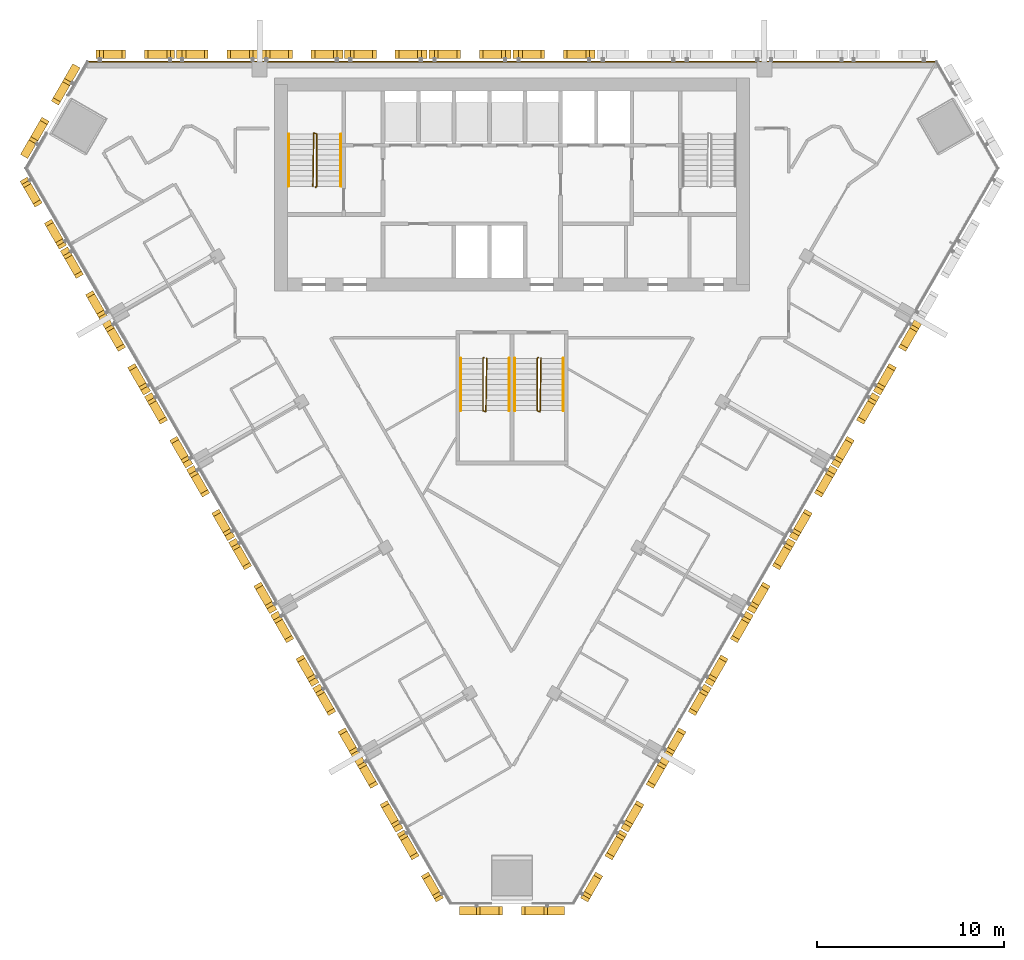
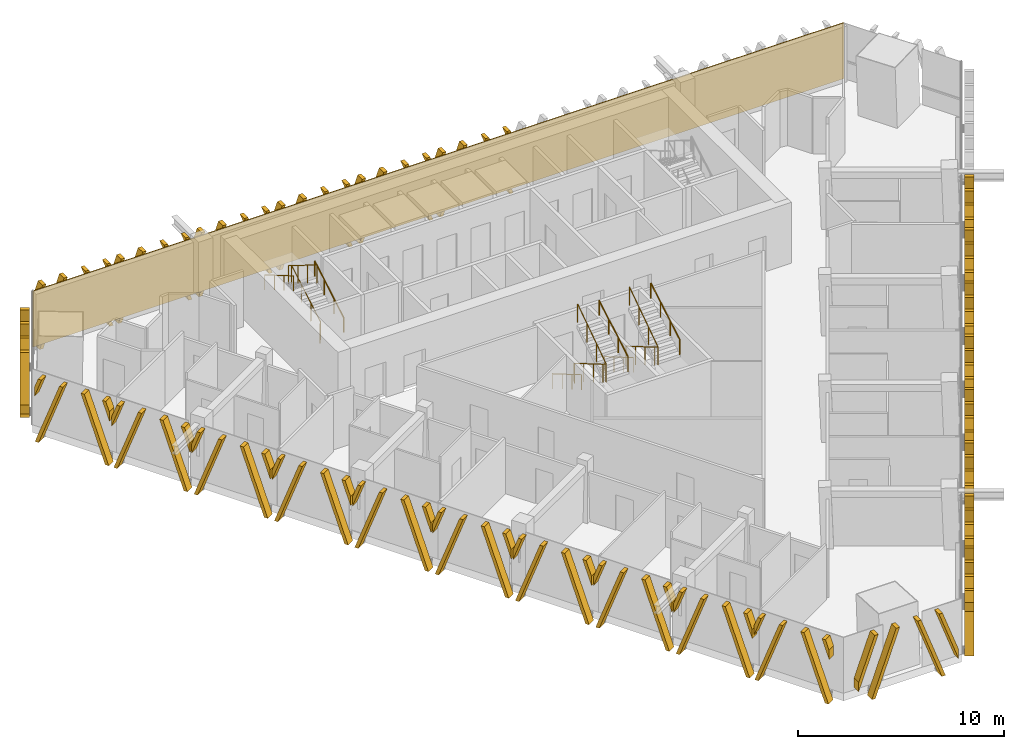
# One storey, part 13 of 15: 26 shading devices, 9 railings, 1 covering.
"""IFC4 building model written with IfcOpenShell, lengths in metres."""

from ifc_helpers import new_model, si_unit, direction, frame, frame_2d, origin, origin_2d, place, context, subcontext, project, spatial, polyline, rectangle, circle, outline, extrude, source, transform, mapped, material, layer, layer_set, type_object, element, save


model = new_model("IFC4")

# Units and contexts
model_context = context("Model", 3, precision=1e-05, world=origin(), true_north=direction((0.0, 1.0)))
body_context = subcontext(model_context, "Body", "Model", "MODEL_VIEW")
ifc_project = project(units=[si_unit("LENGTHUNIT", "METRE"), si_unit("AREAUNIT", "SQUARE_METRE"), si_unit("VOLUMEUNIT", "CUBIC_METRE"), si_unit("PLANEANGLEUNIT", "RADIAN"), si_unit("MASSUNIT", "GRAM", prefix="KILO")], contexts=[model_context])

# Site, building, storey
site_placement = place(None, origin())
site = spatial("IfcSite", under=ifc_project, at=site_placement, CompositionType="ELEMENT")
building_placement = place(site_placement, origin())
building = spatial("IfcBuilding", under=site, at=building_placement, Name="Altiplano Prism Tower", CompositionType="ELEMENT")
storey_placement = place(building_placement, frame((0.0, 0.0, 185.39990234375)))
storey = spatial("IfcBuildingStorey", under=building, at=storey_placement, Name="L48", CompositionType="ELEMENT", Elevation=185.39990234375)

# Railings
ifc_material_1 = material(Name="Steel S355", Category="steel")
railing_type_1 = type_object("IfcRailingType", Name="Stair guard 1100", PredefinedType="GUARDRAIL", material=ifc_material_1)
railing_1_placement = place(storey_placement, frame((74.5, 98.25, 0.0)))
element("IfcRailing", 1, at=railing_1_placement, inside=storey, type_object=railing_type_1, Name="L48 ST1 stair guard 1", PredefinedType="GUARDRAIL", context=body_context, shape_type="SweptSolid", body=[
    extrude(circle(Radius=0.02392578125, at=origin_2d()), frame((0.0, 0.0, 1.076171875), z_axis=(0.280456126637, 0.280456126637, 0.917980785237), x_axis=(-0.707106781187, 0.707106781187, 0.0)), (0.0, 0.0, 1.0), 0.178466796875),
    extrude(circle(Radius=0.02392578125, at=origin_2d()), frame((0.050048828125, 0.050048828125, 1.23974609375), z_axis=(0.0, 0.863393664356, 0.504530851732), x_axis=(-1.0, 0.0, 0.0)), (0.0, 0.0, 1.0), 3.2431640625),
    extrude(circle(Radius=0.02392578125, at=origin_2d()), frame((0.050048828125, 2.85009765625, 2.8759765625), z_axis=(-0.949145278916, 0.314838433982, 0.0), x_axis=(-0.314838433982, -0.949145278916, 0.0)), (0.0, 0.0, 1.0), 0.158203125),
    extrude(circle(Radius=0.02392578125, at=origin_2d()), frame((-0.10009765625, 2.89990234375, 2.8759765625), z_axis=(-0.01477401265, -0.845377694409, 0.533964682676), x_axis=(0.999847325713, -0.01747355902, 0.0)), (0.0, 0.0, 1.0), 3.37109375),
    extrude(circle(Radius=0.02099609375, at=origin_2d()), origin(), (0.0, 0.0, 1.0), 1.052001953125),
    extrude(circle(Radius=0.02099609375, at=origin_2d()), frame((0.050048828125, 0.050048828125, 0.163818359375)), (0.0, 0.0, 1.0), 1.052001953125),
    extrude(circle(Radius=0.02099609375, at=origin_2d()), frame((0.050048828125, 0.9833984375, 0.709228515625)), (0.0, 0.0, 1.0), 1.052001953125),
    extrude(circle(Radius=0.02099609375, at=origin_2d()), frame((0.050048828125, 1.916748046875, 1.254638671875)), (0.0, 0.0, 1.0), 1.052001953125),
    extrude(circle(Radius=0.02099609375, at=origin_2d()), frame((0.050048828125, 2.85009765625, 1.800048828125)), (0.0, 0.0, 1.0), 1.052001953125),
    extrude(circle(Radius=0.02099609375, at=origin_2d()), frame((-0.10009765625, 2.89990234375, 1.800048828125)), (0.0, 0.0, 1.0), 1.052001953125),
    extrude(circle(Radius=0.02099609375, at=origin_2d()), frame((-0.11669921875, 1.949951171875, 2.400146484375)), (0.0, 0.0, 1.0), 1.052001953125),
    extrude(circle(Radius=0.02099609375, at=origin_2d()), frame((-0.13330078125, 1.0, 3.0)), (0.0, 0.0, 1.0), 1.052001953125),
    extrude(circle(Radius=0.02099609375, at=origin_2d()), frame((-0.14990234375, 0.050048828125, 3.60009765625)), (0.0, 0.0, 1.0), 1.052001953125),
])
railing_2_placement = place(storey_placement, frame((83.5, 89.14990234375, 0.0)))
element("IfcRailing", 2, at=railing_2_placement, inside=storey, type_object=railing_type_1, Name="L48 ST3A stair guard 1", PredefinedType="GUARDRAIL", context=body_context, shape_type="SweptSolid", body=[
    extrude(circle(Radius=0.02392578125, at=origin_2d()), frame((0.0, 0.0, 1.076171875), z_axis=(-0.280563532951, -0.279194930351, 0.91833234444), x_axis=(0.705375805398, -0.708833529934, 0.0)), (0.0, 0.0, 1.0), 0.178466796875),
    extrude(circle(Radius=0.02392578125, at=origin_2d()), frame((-0.050048828125, -0.0498046875, 1.23974609375), z_axis=(0.0, -0.863393664356, 0.504530851732), x_axis=(1.0, 0.0, 0.0)), (0.0, 0.0, 1.0), 3.2431640625),
    extrude(circle(Radius=0.02392578125, at=origin_2d()), frame((-0.050048828125, -2.849853515625, 2.8759765625), z_axis=(0.948683298051, -0.316227766017, 0.0), x_axis=(0.316227766017, 0.948683298051, 0.0)), (0.0, 0.0, 1.0), 0.158203125),
    extrude(circle(Radius=0.02392578125, at=origin_2d()), frame((0.10009765625, -2.89990234375, 2.8759765625), z_axis=(0.014773108175, 0.84539835705, 0.533931993021), x_axis=(-0.999847351862, 0.017472062685, 0.0)), (0.0, 0.0, 1.0), 3.371337890625),
    extrude(circle(Radius=0.02099609375, at=origin_2d()), origin(), (0.0, 0.0, 1.0), 1.052001953125),
    extrude(circle(Radius=0.02099609375, at=origin_2d()), frame((-0.050048828125, -0.0498046875, 0.163818359375)), (0.0, 0.0, 1.0), 1.052001953125),
    extrude(circle(Radius=0.02099609375, at=origin_2d()), frame((-0.050048828125, -0.983154296875, 0.709228515625)), (0.0, 0.0, 1.0), 1.052001953125),
    extrude(circle(Radius=0.02099609375, at=origin_2d()), frame((-0.050048828125, -1.91650390625, 1.254638671875)), (0.0, 0.0, 1.0), 1.052001953125),
    extrude(circle(Radius=0.02099609375, at=origin_2d()), frame((-0.050048828125, -2.849853515625, 1.800048828125)), (0.0, 0.0, 1.0), 1.052001953125),
    extrude(circle(Radius=0.02099609375, at=origin_2d()), frame((0.10009765625, -2.89990234375, 1.800048828125)), (0.0, 0.0, 1.0), 1.052001953125),
    extrude(circle(Radius=0.02099609375, at=origin_2d()), frame((0.11669921875, -1.949951171875, 2.400146484375)), (0.0, 0.0, 1.0), 1.052001953125),
    extrude(circle(Radius=0.02099609375, at=origin_2d()), frame((0.13330078125, -0.999755859375, 3.0)), (0.0, 0.0, 1.0), 1.052001953125),
    extrude(circle(Radius=0.02099609375, at=origin_2d()), frame((0.14990234375, -0.0498046875, 3.60009765625)), (0.0, 0.0, 1.0), 1.052001953125),
])
railing_3_placement = place(storey_placement, frame((86.39990234375, 89.14990234375, 0.0)))
element("IfcRailing", 3, at=railing_3_placement, inside=storey, type_object=railing_type_1, Name="L48 ST3B stair guard 1", PredefinedType="GUARDRAIL", context=body_context, shape_type="SweptSolid", body=[
    extrude(circle(Radius=0.02392578125, at=origin_2d()), frame((0.0, 0.0, 1.076171875), z_axis=(-0.279301935624, -0.279301935624, 0.918684307863), x_axis=(0.707106781187, -0.707106781187, 0.0)), (0.0, 0.0, 1.0), 0.17822265625),
    extrude(circle(Radius=0.02392578125, at=origin_2d()), frame((-0.0498046875, -0.0498046875, 1.23974609375), z_axis=(0.0, -0.863393664356, 0.504530851732), x_axis=(1.0, 0.0, 0.0)), (0.0, 0.0, 1.0), 3.2431640625),
    extrude(circle(Radius=0.02392578125, at=origin_2d()), frame((-0.0498046875, -2.849853515625, 2.8759765625), z_axis=(0.948528701346, -0.316691178788, 0.0), x_axis=(0.316691178788, 0.948528701346, 0.0)), (0.0, 0.0, 1.0), 0.157958984375),
    extrude(circle(Radius=0.02392578125, at=origin_2d()), frame((0.10009765625, -2.89990234375, 2.8759765625), z_axis=(0.014845509451, 0.845397450405, 0.533931420407), x_axis=(-0.999845851991, 0.017557683712, 0.0)), (0.0, 0.0, 1.0), 3.371337890625),
    extrude(circle(Radius=0.02099609375, at=origin_2d()), origin(), (0.0, 0.0, 1.0), 1.052001953125),
    extrude(circle(Radius=0.02099609375, at=origin_2d()), frame((-0.0498046875, -0.0498046875, 0.163818359375)), (0.0, 0.0, 1.0), 1.052001953125),
    extrude(circle(Radius=0.02099609375, at=origin_2d()), frame((-0.0498046875, -0.983154296875, 0.709228515625)), (0.0, 0.0, 1.0), 1.052001953125),
    extrude(circle(Radius=0.02099609375, at=origin_2d()), frame((-0.0498046875, -1.91650390625, 1.254638671875)), (0.0, 0.0, 1.0), 1.052001953125),
    extrude(circle(Radius=0.02099609375, at=origin_2d()), frame((-0.0498046875, -2.849853515625, 1.800048828125)), (0.0, 0.0, 1.0), 1.052001953125),
    extrude(circle(Radius=0.02099609375, at=origin_2d()), frame((0.10009765625, -2.89990234375, 1.800048828125)), (0.0, 0.0, 1.0), 1.052001953125),
    extrude(circle(Radius=0.02099609375, at=origin_2d()), frame((0.11669921875, -1.949951171875, 2.400146484375)), (0.0, 0.0, 1.0), 1.052001953125),
    extrude(circle(Radius=0.02099609375, at=origin_2d()), frame((0.133544921875, -0.999755859375, 3.0)), (0.0, 0.0, 1.0), 1.052001953125),
    extrude(circle(Radius=0.02099609375, at=origin_2d()), frame((0.150146484375, -0.0498046875, 3.60009765625)), (0.0, 0.0, 1.0), 1.052001953125),
])
railing_type_2 = type_object("IfcRailingType", Name="Stair handrail 900", PredefinedType="HANDRAIL", material=ifc_material_1)
railing_4_placement = place(storey_placement, frame((75.85009765625, 98.300048828125, 0.163818359375)))
element("IfcRailing", 4, at=railing_4_placement, inside=storey, type_object=railing_type_2, Name="L48 ST1 stair handrail 1", PredefinedType="HANDRAIL", context=body_context, shape_type="SweptSolid", body=[
    extrude(circle(Radius=0.02392578125, at=origin_2d()), frame((0.0, 0.0, 0.8759765625), z_axis=(0.0, 0.863393664356, 0.504530851732), x_axis=(-1.0, 0.0, 0.0)), (0.0, 0.0, 1.0), 3.2431640625),
    extrude(circle(Radius=0.02099609375, at=origin_2d()), origin(), (0.0, 0.0, 1.0), 0.851806640625),
    extrude(circle(Radius=0.02099609375, at=origin_2d()), frame((0.0, 0.933349609375, 0.54541015625)), (0.0, 0.0, 1.0), 0.851806640625),
    extrude(circle(Radius=0.02099609375, at=origin_2d()), frame((0.0, 1.86669921875, 1.0908203125)), (0.0, 0.0, 1.0), 0.851806640625),
    extrude(circle(Radius=0.02099609375, at=origin_2d()), frame((0.0, 2.800048828125, 1.63623046875)), (0.0, 0.0, 1.0), 0.851806640625),
])
railing_5_placement = place(storey_placement, frame((73.050048828125, 101.10009765625, 1.963623046875)))
element("IfcRailing", 5, at=railing_5_placement, inside=storey, type_object=railing_type_2, Name="L48 ST1 stair handrail 2", PredefinedType="HANDRAIL", context=body_context, shape_type="SweptSolid", body=[
    extrude(circle(Radius=0.02392578125, at=origin_2d()), frame((0.0, 0.0, 0.8759765625), z_axis=(0.0, -0.863360870873, 0.504586966384), x_axis=(1.0, 0.0, 0.0)), (0.0, 0.0, 1.0), 3.2431640625),
    extrude(circle(Radius=0.02099609375, at=origin_2d()), origin(), (0.0, 0.0, 1.0), 0.851806640625),
    extrude(circle(Radius=0.02099609375, at=origin_2d()), frame((0.0, -0.933349609375, 0.54541015625)), (0.0, 0.0, 1.0), 0.851806640625),
    extrude(circle(Radius=0.02099609375, at=origin_2d()), frame((0.0, -1.86669921875, 1.091064453125)), (0.0, 0.0, 1.0), 0.851806640625),
    extrude(circle(Radius=0.02099609375, at=origin_2d()), frame((0.0, -2.800048828125, 1.636474609375)), (0.0, 0.0, 1.0), 0.851806640625),
])
railing_6_placement = place(storey_placement, frame((82.25, 89.10009765625, 0.163818359375)))
element("IfcRailing", 6, at=railing_6_placement, inside=storey, type_object=railing_type_2, Name="L48 ST3A stair handrail 1", PredefinedType="HANDRAIL", context=body_context, shape_type="SweptSolid", body=[
    extrude(circle(Radius=0.02392578125, at=origin_2d()), frame((0.0, 0.0, 0.8759765625), z_axis=(0.0, -0.863393664356, 0.504530851732), x_axis=(1.0, 0.0, 0.0)), (0.0, 0.0, 1.0), 3.2431640625),
    extrude(circle(Radius=0.02099609375, at=origin_2d()), origin(), (0.0, 0.0, 1.0), 0.851806640625),
    extrude(circle(Radius=0.02099609375, at=origin_2d()), frame((0.0, -0.933349609375, 0.54541015625)), (0.0, 0.0, 1.0), 0.851806640625),
    extrude(circle(Radius=0.02099609375, at=origin_2d()), frame((0.0, -1.86669921875, 1.0908203125)), (0.0, 0.0, 1.0), 0.851806640625),
    extrude(circle(Radius=0.02099609375, at=origin_2d()), frame((0.0, -2.800048828125, 1.63623046875)), (0.0, 0.0, 1.0), 0.851806640625),
])
railing_7_placement = place(storey_placement, frame((84.85009765625, 86.300048828125, 1.963623046875)))
element("IfcRailing", 7, at=railing_7_placement, inside=storey, type_object=railing_type_2, Name="L48 ST3A stair handrail 2", PredefinedType="HANDRAIL", context=body_context, shape_type="SweptSolid", body=[
    extrude(circle(Radius=0.02392578125, at=origin_2d()), frame((0.0, 0.0, 0.8759765625), z_axis=(0.0, 0.863360870873, 0.504586966384), x_axis=(-1.0, 0.0, 0.0)), (0.0, 0.0, 1.0), 3.2431640625),
    extrude(circle(Radius=0.02099609375, at=origin_2d()), origin(), (0.0, 0.0, 1.0), 0.851806640625),
    extrude(circle(Radius=0.02099609375, at=origin_2d()), frame((0.0, 0.933349609375, 0.54541015625)), (0.0, 0.0, 1.0), 0.851806640625),
    extrude(circle(Radius=0.02099609375, at=origin_2d()), frame((0.0, 1.86669921875, 1.091064453125)), (0.0, 0.0, 1.0), 0.851806640625),
    extrude(circle(Radius=0.02099609375, at=origin_2d()), frame((0.0, 2.800048828125, 1.636474609375)), (0.0, 0.0, 1.0), 0.851806640625),
])
railing_8_placement = place(storey_placement, frame((85.14990234375, 89.10009765625, 0.163818359375)))
element("IfcRailing", 8, at=railing_8_placement, inside=storey, type_object=railing_type_2, Name="L48 ST3B stair handrail 1", PredefinedType="HANDRAIL", context=body_context, shape_type="SweptSolid", body=[
    extrude(circle(Radius=0.02392578125, at=origin_2d()), frame((0.0, 0.0, 0.8759765625), z_axis=(0.0, -0.863393664356, 0.504530851732), x_axis=(1.0, 0.0, 0.0)), (0.0, 0.0, 1.0), 3.2431640625),
    extrude(circle(Radius=0.02099609375, at=origin_2d()), origin(), (0.0, 0.0, 1.0), 0.851806640625),
    extrude(circle(Radius=0.02099609375, at=origin_2d()), frame((0.0, -0.933349609375, 0.54541015625)), (0.0, 0.0, 1.0), 0.851806640625),
    extrude(circle(Radius=0.02099609375, at=origin_2d()), frame((0.0, -1.86669921875, 1.0908203125)), (0.0, 0.0, 1.0), 0.851806640625),
    extrude(circle(Radius=0.02099609375, at=origin_2d()), frame((0.0, -2.800048828125, 1.63623046875)), (0.0, 0.0, 1.0), 0.851806640625),
])
railing_9_placement = place(storey_placement, frame((87.75, 86.300048828125, 1.963623046875)))
element("IfcRailing", 9, at=railing_9_placement, inside=storey, type_object=railing_type_2, Name="L48 ST3B stair handrail 2", PredefinedType="HANDRAIL", context=body_context, shape_type="SweptSolid", body=[
    extrude(circle(Radius=0.02392578125, at=origin_2d()), frame((0.0, 0.0, 0.8759765625), z_axis=(0.0, 0.863360870873, 0.504586966384), x_axis=(-1.0, 0.0, 0.0)), (0.0, 0.0, 1.0), 3.2431640625),
    extrude(circle(Radius=0.02099609375, at=origin_2d()), origin(), (0.0, 0.0, 1.0), 0.851806640625),
    extrude(circle(Radius=0.02099609375, at=origin_2d()), frame((0.0, 0.933349609375, 0.54541015625)), (0.0, 0.0, 1.0), 0.851806640625),
    extrude(circle(Radius=0.02099609375, at=origin_2d()), frame((0.0, 1.86669921875, 1.091064453125)), (0.0, 0.0, 1.0), 0.851806640625),
    extrude(circle(Radius=0.02099609375, at=origin_2d()), frame((0.0, 2.800048828125, 1.636474609375)), (0.0, 0.0, 1.0), 0.851806640625),
])

# Covering
ifc_material_2 = material(Name="Warm limestone cast stone", Category="masonry")
ifc_layer = layer(ifc_material_2, 0.06005859375)
ifc_layer_set = layer_set([ifc_layer], Name="Warm limestone cast stone")
covering_type = type_object("IfcCoveringType", Name="Stone cladding 60", PredefinedType="CLADDING", material=ifc_layer_set)
covering_placement = place(storey_placement, frame((62.279296875, 104.969970703125, 0.0), z_axis=(0.0, 0.0, 1.0), x_axis=(1.0, 0.0, 0.0)))
element("IfcCovering", 10, at=covering_placement, inside=storey, type_object=covering_type, Name="Stone cladding north face L48", PredefinedType="CLADDING", context=body_context, shape_type="SweptSolid", body=[
    extrude(rectangle(XDim=45.44140625, YDim=0.06005859375, at=frame_2d((22.720703125, 0.0))), origin(), (0.0, 0.0, 1.0), 3.300048828125),
])

# Shading devices
shading_device_type_1 = type_object("IfcShadingDeviceType", Name="Stone fin panel, wide closing bay", PredefinedType="USERDEFINED", material=ifc_material_2)
shared_shape_1 = source(origin(), body_context, "Body", "SweptSolid", [
    extrude(outline(polyline([(-2.10009765625, 2.65087890625), (-1.699951171875, 3.75), (-1.89990234375, 3.75), (-2.10009765625, 3.200439453125), (-2.10009765625, 2.65087890625)])), frame((0.0, -0.14990234375, 0.0), z_axis=(0.0, -1.0, 0.0), x_axis=(1.0, 0.0, 0.0)), (0.0, 0.0, 1.0), 0.4501953125),
    extrude(outline(polyline([(-2.06494140625, 0.0), (-1.864990234375, 0.0), (-0.5, 3.75), (-0.699951171875, 3.75), (-2.06494140625, 0.0)])), frame((0.0, -0.14990234375, 0.0), z_axis=(0.0, -1.0, 0.0), x_axis=(1.0, 0.0, 0.0)), (0.0, 0.0, 1.0), 0.4501953125),
    extrude(outline(polyline([(1.864990234375, 0.0), (2.06494140625, 0.0), (0.699951171875, 3.75), (0.5, 3.75), (1.864990234375, 0.0)])), frame((0.0, -0.14990234375, 0.0), z_axis=(0.0, -1.0, 0.0), x_axis=(1.0, 0.0, 0.0)), (0.0, 0.0, 1.0), 0.4501953125),
    extrude(outline(polyline([(2.10009765625, 3.200439453125), (1.89990234375, 3.75), (1.699951171875, 3.75), (2.10009765625, 2.65087890625), (2.10009765625, 3.200439453125)])), frame((0.0, -0.14990234375, 0.0), z_axis=(0.0, -1.0, 0.0), x_axis=(1.0, 0.0, 0.0)), (0.0, 0.0, 1.0), 0.4501953125),
])
shading_device_1_placement = place(storey_placement, origin())
element("IfcShadingDevice", 11, at=shading_device_1_placement, inside=storey, type_object=shading_device_type_1, Name="Fin L48 north face 10", ObjectType="FIN", PredefinedType="USERDEFINED", context=body_context, shape_type="MappedRepresentation", body=[
    mapped(shared_shape_1, transform((64.839599609375, 105.0, -0.449951171875), x_axis=(-1.0, 0.0, 0.0), y_axis=(0.0, -1.0, 0.0), z_axis=(0.0, 0.0, 1.0))),
])
shading_device_2_placement = place(storey_placement, origin())
element("IfcShadingDevice", 12, at=shading_device_2_placement, inside=storey, type_object=shading_device_type_1, Name="Fin L48 south-west face 1", ObjectType="FIN", PredefinedType="USERDEFINED", context=body_context, shape_type="MappedRepresentation", body=[
    mapped(shared_shape_1, transform((60.2529296875, 97.055419921875, -0.449951171875), x_axis=(0.499999992925, -0.866025407869, 0.0), y_axis=(0.866025407869, 0.499999992925, 0.0), z_axis=(0.0, 0.0, 1.0))),
])
shading_device_3_placement = place(storey_placement, origin())
element("IfcShadingDevice", 13, at=shading_device_3_placement, inside=storey, type_object=shading_device_type_1, Name="Fin L48 south-west face 10", ObjectType="FIN", PredefinedType="USERDEFINED", context=body_context, shape_type="MappedRepresentation", body=[
    mapped(shared_shape_1, transform((80.4130859375, 62.13671875, -0.449951171875), x_axis=(0.499999992925, -0.866025407869, 0.0), y_axis=(0.866025407869, 0.499999992925, 0.0), z_axis=(0.0, 0.0, 1.0))),
])
shading_device_4_placement = place(storey_placement, origin())
element("IfcShadingDevice", 14, at=shading_device_4_placement, inside=storey, type_object=shading_device_type_1, Name="Fin L48 south-east face 1", ObjectType="FIN", PredefinedType="USERDEFINED", context=body_context, shape_type="MappedRepresentation", body=[
    mapped(shared_shape_1, transform((89.5869140625, 62.13671875, -0.449951171875), x_axis=(0.499999992925, 0.866025407869, 0.0), y_axis=(-0.866025407869, 0.499999992925, 0.0), z_axis=(0.0, 0.0, 1.0))),
])
shading_device_type_2 = type_object("IfcShadingDeviceType", Name="Stone fin panel, standard unit", PredefinedType="USERDEFINED", material=ifc_material_2)
shared_shape_2 = source(origin(), body_context, "Body", "SweptSolid", [
    extrude(outline(polyline([(-2.199951171875, 2.376220703125), (-1.699951171875, 3.75), (-1.89990234375, 3.75), (-2.199951171875, 2.92578125), (-2.199951171875, 2.376220703125)])), frame((0.0, -0.14990234375, 0.0), z_axis=(0.0, -1.0, 0.0), x_axis=(1.0, 0.0, 0.0)), (0.0, 0.0, 1.0), 0.4501953125),
    extrude(outline(polyline([(-2.06494140625, 0.0), (-1.864990234375, 0.0), (-0.5, 3.75), (-0.699951171875, 3.75), (-2.06494140625, 0.0)])), frame((0.0, -0.14990234375, 0.0), z_axis=(0.0, -1.0, 0.0), x_axis=(1.0, 0.0, 0.0)), (0.0, 0.0, 1.0), 0.4501953125),
    extrude(outline(polyline([(1.864990234375, 0.0), (2.06494140625, 0.0), (0.699951171875, 3.75), (0.5, 3.75), (1.864990234375, 0.0)])), frame((0.0, -0.14990234375, 0.0), z_axis=(0.0, -1.0, 0.0), x_axis=(1.0, 0.0, 0.0)), (0.0, 0.0, 1.0), 0.4501953125),
    extrude(outline(polyline([(2.199951171875, 2.92578125), (1.89990234375, 3.75), (1.699951171875, 3.75), (2.199951171875, 2.376220703125), (2.199951171875, 2.92578125)])), frame((0.0, -0.14990234375, 0.0), z_axis=(0.0, -1.0, 0.0), x_axis=(1.0, 0.0, 0.0)), (0.0, 0.0, 1.0), 0.4501953125),
])
shading_device_5_placement = place(storey_placement, origin())
element("IfcShadingDevice", 15, at=shading_device_5_placement, inside=storey, type_object=shading_device_type_2, Name="Fin L48 north face 5", ObjectType="FIN", PredefinedType="USERDEFINED", context=body_context, shape_type="MappedRepresentation", body=[
    mapped(shared_shape_2, transform((87.25, 105.0, -0.449951171875), x_axis=(-1.0, 0.0, 0.0), y_axis=(0.0, -1.0, 0.0), z_axis=(0.0, 0.0, 1.0))),
])
shading_device_6_placement = place(storey_placement, origin())
element("IfcShadingDevice", 16, at=shading_device_6_placement, inside=storey, type_object=shading_device_type_2, Name="Fin L48 north face 6", ObjectType="FIN", PredefinedType="USERDEFINED", context=body_context, shape_type="MappedRepresentation", body=[
    mapped(shared_shape_2, transform((82.75, 105.0, -0.449951171875), x_axis=(-1.0, 0.0, 0.0), y_axis=(0.0, -1.0, 0.0), z_axis=(0.0, 0.0, 1.0))),
])
shading_device_7_placement = place(storey_placement, origin())
element("IfcShadingDevice", 17, at=shading_device_7_placement, inside=storey, type_object=shading_device_type_2, Name="Fin L48 north face 7", ObjectType="FIN", PredefinedType="USERDEFINED", context=body_context, shape_type="MappedRepresentation", body=[
    mapped(shared_shape_2, transform((78.25, 105.0, -0.449951171875), x_axis=(-1.0, 0.0, 0.0), y_axis=(0.0, -1.0, 0.0), z_axis=(0.0, 0.0, 1.0))),
])
shading_device_8_placement = place(storey_placement, origin())
element("IfcShadingDevice", 18, at=shading_device_8_placement, inside=storey, type_object=shading_device_type_2, Name="Fin L48 north face 8", ObjectType="FIN", PredefinedType="USERDEFINED", context=body_context, shape_type="MappedRepresentation", body=[
    mapped(shared_shape_2, transform((73.75, 105.0, -0.449951171875), x_axis=(-1.0, 0.0, 0.0), y_axis=(0.0, -1.0, 0.0), z_axis=(0.0, 0.0, 1.0))),
])
shading_device_9_placement = place(storey_placement, origin())
element("IfcShadingDevice", 19, at=shading_device_9_placement, inside=storey, type_object=shading_device_type_2, Name="Fin L48 north face 9", ObjectType="FIN", PredefinedType="USERDEFINED", context=body_context, shape_type="MappedRepresentation", body=[
    mapped(shared_shape_2, transform((69.25, 105.0, -0.449951171875), x_axis=(-1.0, 0.0, 0.0), y_axis=(0.0, -1.0, 0.0), z_axis=(0.0, 0.0, 1.0))),
])
shading_device_10_placement = place(storey_placement, origin())
element("IfcShadingDevice", 20, at=shading_device_10_placement, inside=storey, type_object=shading_device_type_2, Name="Fin L48 south-west face 2", ObjectType="FIN", PredefinedType="USERDEFINED", context=body_context, shape_type="MappedRepresentation", body=[
    mapped(shared_shape_2, transform((62.4580078125, 93.23583984375, -0.449951171875), x_axis=(0.499999992925, -0.866025407869, 0.0), y_axis=(0.866025407869, 0.499999992925, 0.0), z_axis=(0.0, 0.0, 1.0))),
])
shading_device_11_placement = place(storey_placement, origin())
element("IfcShadingDevice", 21, at=shading_device_11_placement, inside=storey, type_object=shading_device_type_2, Name="Fin L48 south-west face 3", ObjectType="FIN", PredefinedType="USERDEFINED", context=body_context, shape_type="MappedRepresentation", body=[
    mapped(shared_shape_2, transform((64.7080078125, 89.3388671875, -0.449951171875), x_axis=(0.499999992925, -0.866025407869, 0.0), y_axis=(0.866025407869, 0.499999992925, 0.0), z_axis=(0.0, 0.0, 1.0))),
])
shading_device_12_placement = place(storey_placement, origin())
element("IfcShadingDevice", 22, at=shading_device_12_placement, inside=storey, type_object=shading_device_type_2, Name="Fin L48 south-west face 4", ObjectType="FIN", PredefinedType="USERDEFINED", context=body_context, shape_type="MappedRepresentation", body=[
    mapped(shared_shape_2, transform((66.9580078125, 85.441650390625, -0.449951171875), x_axis=(0.499999992925, -0.866025407869, 0.0), y_axis=(0.866025407869, 0.499999992925, 0.0), z_axis=(0.0, 0.0, 1.0))),
])
shading_device_13_placement = place(storey_placement, origin())
element("IfcShadingDevice", 23, at=shading_device_13_placement, inside=storey, type_object=shading_device_type_2, Name="Fin L48 south-west face 5", ObjectType="FIN", PredefinedType="USERDEFINED", context=body_context, shape_type="MappedRepresentation", body=[
    mapped(shared_shape_2, transform((69.2080078125, 81.544677734375, -0.449951171875), x_axis=(0.499999992925, -0.866025407869, 0.0), y_axis=(0.866025407869, 0.499999992925, 0.0), z_axis=(0.0, 0.0, 1.0))),
])
shading_device_14_placement = place(storey_placement, origin())
element("IfcShadingDevice", 24, at=shading_device_14_placement, inside=storey, type_object=shading_device_type_2, Name="Fin L48 south-west face 6", ObjectType="FIN", PredefinedType="USERDEFINED", context=body_context, shape_type="MappedRepresentation", body=[
    mapped(shared_shape_2, transform((71.4580078125, 77.6474609375, -0.449951171875), x_axis=(0.499999992925, -0.866025407869, 0.0), y_axis=(0.866025407869, 0.499999992925, 0.0), z_axis=(0.0, 0.0, 1.0))),
])
shading_device_15_placement = place(storey_placement, origin())
element("IfcShadingDevice", 25, at=shading_device_15_placement, inside=storey, type_object=shading_device_type_2, Name="Fin L48 south-west face 7", ObjectType="FIN", PredefinedType="USERDEFINED", context=body_context, shape_type="MappedRepresentation", body=[
    mapped(shared_shape_2, transform((73.7080078125, 73.750244140625, -0.449951171875), x_axis=(0.499999992925, -0.866025407869, 0.0), y_axis=(0.866025407869, 0.499999992925, 0.0), z_axis=(0.0, 0.0, 1.0))),
])
shading_device_16_placement = place(storey_placement, origin())
element("IfcShadingDevice", 26, at=shading_device_16_placement, inside=storey, type_object=shading_device_type_2, Name="Fin L48 south-west face 8", ObjectType="FIN", PredefinedType="USERDEFINED", context=body_context, shape_type="MappedRepresentation", body=[
    mapped(shared_shape_2, transform((75.9580078125, 69.853271484375, -0.449951171875), x_axis=(0.499999992925, -0.866025407869, 0.0), y_axis=(0.866025407869, 0.499999992925, 0.0), z_axis=(0.0, 0.0, 1.0))),
])
shading_device_17_placement = place(storey_placement, origin())
element("IfcShadingDevice", 27, at=shading_device_17_placement, inside=storey, type_object=shading_device_type_2, Name="Fin L48 south-west face 9", ObjectType="FIN", PredefinedType="USERDEFINED", context=body_context, shape_type="MappedRepresentation", body=[
    mapped(shared_shape_2, transform((78.2080078125, 65.9560546875, -0.449951171875), x_axis=(0.499999992925, -0.866025407869, 0.0), y_axis=(0.866025407869, 0.499999992925, 0.0), z_axis=(0.0, 0.0, 1.0))),
])
shading_device_18_placement = place(storey_placement, origin())
element("IfcShadingDevice", 28, at=shading_device_18_placement, inside=storey, type_object=shading_device_type_2, Name="Fin L48 south-east face 2", ObjectType="FIN", PredefinedType="USERDEFINED", context=body_context, shape_type="MappedRepresentation", body=[
    mapped(shared_shape_2, transform((91.7919921875, 65.9560546875, -0.449951171875), x_axis=(0.499999992925, 0.866025407869, 0.0), y_axis=(-0.866025407869, 0.499999992925, 0.0), z_axis=(0.0, 0.0, 1.0))),
])
shading_device_19_placement = place(storey_placement, origin())
element("IfcShadingDevice", 29, at=shading_device_19_placement, inside=storey, type_object=shading_device_type_2, Name="Fin L48 south-east face 3", ObjectType="FIN", PredefinedType="USERDEFINED", context=body_context, shape_type="MappedRepresentation", body=[
    mapped(shared_shape_2, transform((94.0419921875, 69.853271484375, -0.449951171875), x_axis=(0.499999992925, 0.866025407869, 0.0), y_axis=(-0.866025407869, 0.499999992925, 0.0), z_axis=(0.0, 0.0, 1.0))),
])
shading_device_20_placement = place(storey_placement, origin())
element("IfcShadingDevice", 30, at=shading_device_20_placement, inside=storey, type_object=shading_device_type_2, Name="Fin L48 south-east face 4", ObjectType="FIN", PredefinedType="USERDEFINED", context=body_context, shape_type="MappedRepresentation", body=[
    mapped(shared_shape_2, transform((96.2919921875, 73.750244140625, -0.449951171875), x_axis=(0.499999992925, 0.866025407869, 0.0), y_axis=(-0.866025407869, 0.499999992925, 0.0), z_axis=(0.0, 0.0, 1.0))),
])
shading_device_21_placement = place(storey_placement, origin())
element("IfcShadingDevice", 31, at=shading_device_21_placement, inside=storey, type_object=shading_device_type_2, Name="Fin L48 south-east face 5", ObjectType="FIN", PredefinedType="USERDEFINED", context=body_context, shape_type="MappedRepresentation", body=[
    mapped(shared_shape_2, transform((98.5419921875, 77.6474609375, -0.449951171875), x_axis=(0.499999992925, 0.866025407869, 0.0), y_axis=(-0.866025407869, 0.499999992925, 0.0), z_axis=(0.0, 0.0, 1.0))),
])
shading_device_22_placement = place(storey_placement, origin())
element("IfcShadingDevice", 32, at=shading_device_22_placement, inside=storey, type_object=shading_device_type_2, Name="Fin L48 south-east face 6", ObjectType="FIN", PredefinedType="USERDEFINED", context=body_context, shape_type="MappedRepresentation", body=[
    mapped(shared_shape_2, transform((100.7919921875, 81.544677734375, -0.449951171875), x_axis=(0.499999992925, 0.866025407869, 0.0), y_axis=(-0.866025407869, 0.499999992925, 0.0), z_axis=(0.0, 0.0, 1.0))),
])
shading_device_23_placement = place(storey_placement, origin())
element("IfcShadingDevice", 33, at=shading_device_23_placement, inside=storey, type_object=shading_device_type_2, Name="Fin L48 south-east face 7", ObjectType="FIN", PredefinedType="USERDEFINED", context=body_context, shape_type="MappedRepresentation", body=[
    mapped(shared_shape_2, transform((103.0419921875, 85.441650390625, -0.449951171875), x_axis=(0.499999992925, 0.866025407869, 0.0), y_axis=(-0.866025407869, 0.499999992925, 0.0), z_axis=(0.0, 0.0, 1.0))),
])
shading_device_24_placement = place(storey_placement, origin())
element("IfcShadingDevice", 34, at=shading_device_24_placement, inside=storey, type_object=shading_device_type_2, Name="Fin L48 south-east face 8", ObjectType="FIN", PredefinedType="USERDEFINED", context=body_context, shape_type="MappedRepresentation", body=[
    mapped(shared_shape_2, transform((105.2919921875, 89.3388671875, -0.449951171875), x_axis=(0.499999992925, 0.866025407869, 0.0), y_axis=(-0.866025407869, 0.499999992925, 0.0), z_axis=(0.0, 0.0, 1.0))),
])
shading_device_type_3 = type_object("IfcShadingDeviceType", Name="Stone fin panel, chamfer unit", PredefinedType="USERDEFINED", material=ifc_material_2)
shared_shape_3 = source(origin(), body_context, "Body", "SweptSolid", [
    extrude(outline(polyline([(-2.800048828125, 0.727783203125), (-1.699951171875, 3.75), (-1.89990234375, 3.75), (-2.800048828125, 1.27734375), (-2.800048828125, 0.727783203125)])), frame((0.0, -0.14990234375, 0.0), z_axis=(0.0, -1.0, 0.0), x_axis=(1.0, 0.0, 0.0)), (0.0, 0.0, 1.0), 0.4501953125),
    extrude(outline(polyline([(-2.06494140625, 0.0), (-1.864990234375, 0.0), (-0.5, 3.75), (-0.699951171875, 3.75), (-2.06494140625, 0.0)])), frame((0.0, -0.14990234375, 0.0), z_axis=(0.0, -1.0, 0.0), x_axis=(1.0, 0.0, 0.0)), (0.0, 0.0, 1.0), 0.4501953125),
    extrude(outline(polyline([(1.864990234375, 0.0), (2.06494140625, 0.0), (0.699951171875, 3.75), (0.5, 3.75), (1.864990234375, 0.0)])), frame((0.0, -0.14990234375, 0.0), z_axis=(0.0, -1.0, 0.0), x_axis=(1.0, 0.0, 0.0)), (0.0, 0.0, 1.0), 0.4501953125),
    extrude(outline(polyline([(2.800048828125, 1.27734375), (1.89990234375, 3.75), (1.699951171875, 3.75), (2.800048828125, 0.727783203125), (2.800048828125, 1.27734375)])), frame((0.0, -0.14990234375, 0.0), z_axis=(0.0, -1.0, 0.0), x_axis=(1.0, 0.0, 0.0)), (0.0, 0.0, 1.0), 0.4501953125),
])
shading_device_25_placement = place(storey_placement, origin())
element("IfcShadingDevice", 35, at=shading_device_25_placement, inside=storey, type_object=shading_device_type_3, Name="Fin L48 north-west chamfer 1", ObjectType="FIN", PredefinedType="USERDEFINED", context=body_context, shape_type="MappedRepresentation", body=[
    mapped(shared_shape_3, transform((60.6259765625, 102.13623046875, -0.449951171875), x_axis=(-0.499999977777, -0.866025416615, 0.0), y_axis=(0.866025416615, -0.499999977777, 0.0), z_axis=(0.0, 0.0, 1.0))),
])
shading_device_26_placement = place(storey_placement, origin())
element("IfcShadingDevice", 36, at=shading_device_26_placement, inside=storey, type_object=shading_device_type_3, Name="Fin L48 south chamfer 1", ObjectType="FIN", PredefinedType="USERDEFINED", context=body_context, shape_type="MappedRepresentation", body=[
    mapped(shared_shape_3, transform((85.0, 59.91943359375, -0.449951171875), x_axis=(1.0, 0.0, 0.0), y_axis=(0.0, 1.0, 0.0), z_axis=(0.0, 0.0, 1.0))),
])

save(model, "model.ifc")
